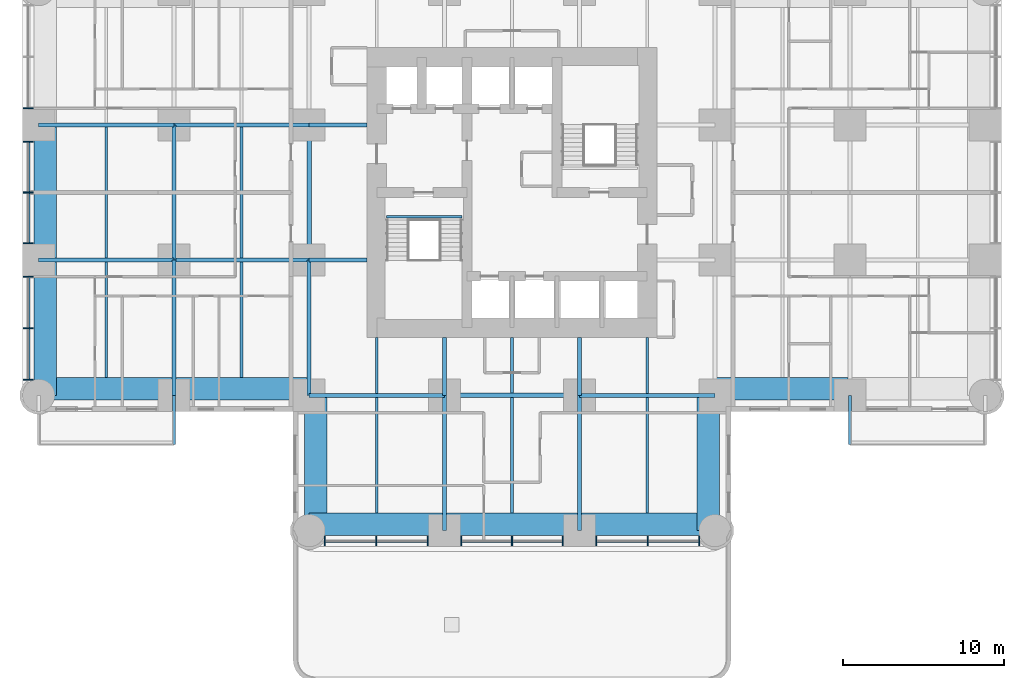
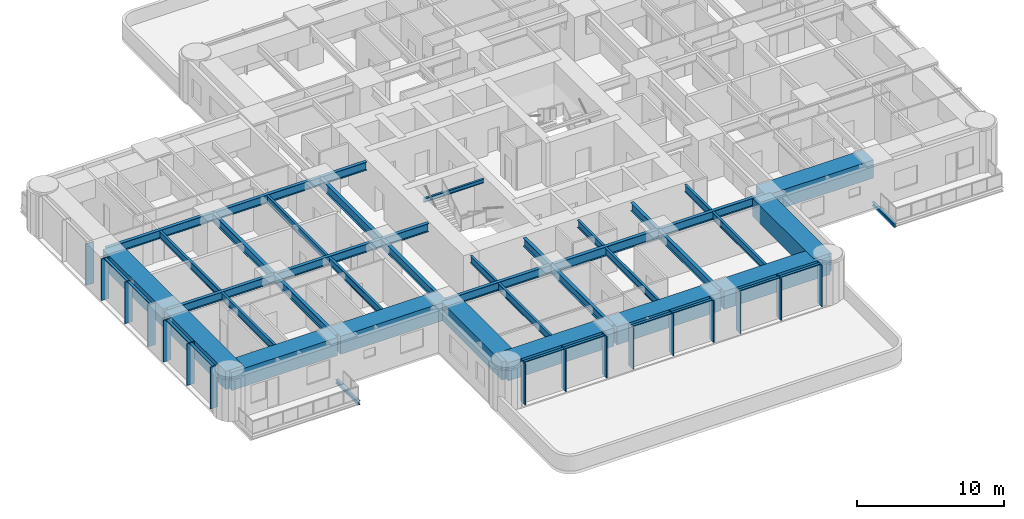
# One storey, part 2 of 14: 40 beams, 26 members, 2 elements without a shape of their own.
"""IFC4 building model written with IfcOpenShell, lengths in metres."""

from ifc_helpers import new_model, si_unit, direction, frame, origin, origin_2d, place, context, subcontext, project, spatial, rectangle, i_section, extrude, material, material_profile, profile_set, type_object, element, aggregate, save


model = new_model("IFC4")

# Units and contexts
model_context = context("Model", 3, precision=1e-05, world=origin(), true_north=direction((0.0, 1.0)))
body_context = subcontext(model_context, "Body", "Model", "MODEL_VIEW")
ifc_project = project(units=[si_unit("LENGTHUNIT", "METRE"), si_unit("AREAUNIT", "SQUARE_METRE"), si_unit("VOLUMEUNIT", "CUBIC_METRE"), si_unit("PLANEANGLEUNIT", "RADIAN"), si_unit("MASSUNIT", "GRAM", prefix="KILO")], contexts=[model_context])

# Site, building, storey
site_placement = place(None, origin())
site = spatial("IfcSite", under=ifc_project, at=site_placement, CompositionType="ELEMENT")
building_placement = place(site_placement, origin())
building = spatial("IfcBuilding", under=site, at=building_placement, Name="Torre Alcanfor", CompositionType="ELEMENT")
storey_placement = place(building_placement, frame((0.0, 0.0, 108.89990234375)))
storey = spatial("IfcBuildingStorey", under=building, at=storey_placement, Name="L27", CompositionType="ELEMENT", Elevation=108.89990234375)

# Beams
ifc_material_1 = material(Name="Steel ASTM A992 Grade 50", Category="steel")
ifc_material_profile_1 = material_profile(ifc_material_1, i_section(OverallWidth=0.205322265625, OverallDepth=0.309814453125, WebThickness=0.00927734375, FlangeThickness=0.016357421875, at=origin_2d()), Name="W12x50")
ifc_profile_set_1 = profile_set([ifc_material_profile_1], Name="Steel ASTM A992 Grade 50")
beam_type_1 = type_object("IfcBeamType", Name="Balcony cantilever beam W12x50", PredefinedType="BEAM", material=ifc_profile_set_1)
for number, where, z_axis, x_axis, name in (
    (1, (50.39990234375, 16.800048828125, -0.354736328125), (0.0, -1.0, 0.0), (1.0, 0.0, 0.0), "Balcony cantilever beam L27-E2 1"),
    (2, (8.39990234375, 16.800048828125, -0.354736328125), (0.0, -1.0, 0.0), (1.0, 0.0, 0.0), "Balcony cantilever beam L27-W1 1"),
):
    element("IfcBeam", number, at=place(storey_placement, frame(where, z_axis=z_axis, x_axis=x_axis)), inside=storey, type_object=beam_type_1, Name=name, PredefinedType="BEAM", context=body_context, shape_type="SweptSolid", body=[
        extrude(i_section(OverallWidth=0.205322265625, OverallDepth=0.309814453125, WebThickness=0.00927734375, FlangeThickness=0.016357421875, at=origin_2d()), origin(), (0.0, 0.0, 1.0), 3.050048828125),
    ])

# Curtain wall, members
ifc_material_2 = material(Name="Aluminium and glass", Category="aluminium")
curtain_wall_type = type_object("IfcCurtainWallType", Name="CW-A unitised apartment glazing with vertical FIN", PredefinedType="NOTDEFINED", material=ifc_material_2)
curtain_wall_1_placement = place(storey_placement, origin())
curtain_wall_1 = element("IfcCurtainWall", 3, at=curtain_wall_1_placement, inside=storey, type_object=curtain_wall_type, Name="Curtain wall CW-A L27 2", PredefinedType="NOTDEFINED")
ifc_material_3 = material(Name="Bronze anodised aluminium", Category="aluminium")
ifc_material_profile_2 = material_profile(ifc_material_3, rectangle(XDim=0.60009765625, YDim=0.06494140625, at=origin_2d()), Name="CW-A mullion 65x600")
ifc_profile_set_2 = profile_set([ifc_material_profile_2], Name="Bronze anodised aluminium")
member_type_1 = type_object("IfcMemberType", Name="CW-A mullion with vertical FIN 65x600", PredefinedType="MULLION", material=ifc_profile_set_2)
member_1_placement = place(storey_placement, frame((-0.64990234375, 34.637451171875, 0.0), z_axis=(0.0, 0.0, 1.0), x_axis=(1.0, 0.0, 0.0)))
member_1 = element("IfcMember", 4, at=member_1_placement, type_object=member_type_1, Name="CW-A mullion 1.3", PredefinedType="MULLION", context=body_context, shape_type="SweptSolid", body=[
    extrude(rectangle(XDim=0.60009765625, YDim=0.06494140625, at=origin_2d()), origin(), (0.0, 0.0, 1.0), 3.4501953125),
])
member_2_placement = place(storey_placement, frame((-0.64990234375, 32.5625, 0.0), z_axis=(0.0, 0.0, 1.0), x_axis=(1.0, 0.0, 0.0)))
member_2 = element("IfcMember", 5, at=member_2_placement, type_object=member_type_1, Name="CW-A mullion 2.1", PredefinedType="MULLION", context=body_context, shape_type="SweptSolid", body=[
    extrude(rectangle(XDim=0.60009765625, YDim=0.06494140625, at=origin_2d()), origin(), (0.0, 0.0, 1.0), 3.4501953125),
])
member_3_placement = place(storey_placement, frame((-0.64990234375, 29.39990234375, 0.0), z_axis=(0.0, 0.0, 1.0), x_axis=(1.0, 0.0, 0.0)))
member_3 = element("IfcMember", 6, at=member_3_placement, type_object=member_type_1, Name="CW-A mullion 2.2", PredefinedType="MULLION", context=body_context, shape_type="SweptSolid", body=[
    extrude(rectangle(XDim=0.60009765625, YDim=0.06494140625, at=origin_2d()), origin(), (0.0, 0.0, 1.0), 3.4501953125),
])
member_4_placement = place(storey_placement, frame((-0.64990234375, 26.237548828125, 0.0), z_axis=(0.0, 0.0, 1.0), x_axis=(1.0, 0.0, 0.0)))
member_4 = element("IfcMember", 7, at=member_4_placement, type_object=member_type_1, Name="CW-A mullion 2.3", PredefinedType="MULLION", context=body_context, shape_type="SweptSolid", body=[
    extrude(rectangle(XDim=0.60009765625, YDim=0.06494140625, at=origin_2d()), origin(), (0.0, 0.0, 1.0), 3.4501953125),
])
member_5_placement = place(storey_placement, frame((-0.64990234375, 24.16259765625, 0.0), z_axis=(0.0, 0.0, 1.0), x_axis=(1.0, 0.0, 0.0)))
member_5 = element("IfcMember", 8, at=member_5_placement, type_object=member_type_1, Name="CW-A mullion 3.1", PredefinedType="MULLION", context=body_context, shape_type="SweptSolid", body=[
    extrude(rectangle(XDim=0.60009765625, YDim=0.06494140625, at=origin_2d()), origin(), (0.0, 0.0, 1.0), 3.4501953125),
])
member_6_placement = place(storey_placement, frame((-0.64990234375, 20.968505859375, 0.0), z_axis=(0.0, 0.0, 1.0), x_axis=(1.0, 0.0, 0.0)))
member_6 = element("IfcMember", 9, at=member_6_placement, type_object=member_type_1, Name="CW-A mullion 3.2", PredefinedType="MULLION", context=body_context, shape_type="SweptSolid", body=[
    extrude(rectangle(XDim=0.60009765625, YDim=0.06494140625, at=origin_2d()), origin(), (0.0, 0.0, 1.0), 3.4501953125),
])
member_7_placement = place(storey_placement, frame((-0.64990234375, 17.7744140625, 0.0), z_axis=(0.0, 0.0, 1.0), x_axis=(1.0, 0.0, 0.0)))
member_7 = element("IfcMember", 10, at=member_7_placement, type_object=member_type_1, Name="CW-A mullion 3.3", PredefinedType="MULLION", context=body_context, shape_type="SweptSolid", body=[
    extrude(rectangle(XDim=0.60009765625, YDim=0.06494140625, at=origin_2d()), origin(), (0.0, 0.0, 1.0), 3.4501953125),
])

curtain_wall_2_placement = place(storey_placement, origin())
curtain_wall_2 = element("IfcCurtainWall", 11, at=curtain_wall_2_placement, inside=storey, type_object=curtain_wall_type, Name="Curtain wall CW-A L27 5", PredefinedType="NOTDEFINED")
member_8_placement = place(storey_placement, frame((17.7744140625, 7.75, 0.0), z_axis=(0.0, 0.0, 1.0), x_axis=(0.0, 1.0, 0.0)))
member_8 = element("IfcMember", 12, at=member_8_placement, type_object=member_type_1, Name="CW-A mullion 1.1", PredefinedType="MULLION", context=body_context, shape_type="SweptSolid", body=[
    extrude(rectangle(XDim=0.60009765625, YDim=0.06494140625, at=origin_2d()), origin(), (0.0, 0.0, 1.0), 3.4501953125),
])
member_9_placement = place(storey_placement, frame((20.968505859375, 7.75, 0.0), z_axis=(0.0, 0.0, 1.0), x_axis=(0.0, 1.0, 0.0)))
member_9 = element("IfcMember", 13, at=member_9_placement, type_object=member_type_1, Name="CW-A mullion 1.2", PredefinedType="MULLION", context=body_context, shape_type="SweptSolid", body=[
    extrude(rectangle(XDim=0.60009765625, YDim=0.06494140625, at=origin_2d()), origin(), (0.0, 0.0, 1.0), 3.4501953125),
])
member_10_placement = place(storey_placement, frame((24.16259765625, 7.75, 0.0), z_axis=(0.0, 0.0, 1.0), x_axis=(0.0, 1.0, 0.0)))
member_10 = element("IfcMember", 14, at=member_10_placement, type_object=member_type_1, Name="CW-A mullion 1.3", PredefinedType="MULLION", context=body_context, shape_type="SweptSolid", body=[
    extrude(rectangle(XDim=0.60009765625, YDim=0.06494140625, at=origin_2d()), origin(), (0.0, 0.0, 1.0), 3.4501953125),
])
member_11_placement = place(storey_placement, frame((26.237548828125, 7.75, 0.0), z_axis=(0.0, 0.0, 1.0), x_axis=(0.0, 1.0, 0.0)))
member_11 = element("IfcMember", 15, at=member_11_placement, type_object=member_type_1, Name="CW-A mullion 2.1", PredefinedType="MULLION", context=body_context, shape_type="SweptSolid", body=[
    extrude(rectangle(XDim=0.60009765625, YDim=0.06494140625, at=origin_2d()), origin(), (0.0, 0.0, 1.0), 3.4501953125),
])
member_12_placement = place(storey_placement, frame((29.39990234375, 7.75, 0.0), z_axis=(0.0, 0.0, 1.0), x_axis=(0.0, 1.0, 0.0)))
member_12 = element("IfcMember", 16, at=member_12_placement, type_object=member_type_1, Name="CW-A mullion 2.2", PredefinedType="MULLION", context=body_context, shape_type="SweptSolid", body=[
    extrude(rectangle(XDim=0.60009765625, YDim=0.06494140625, at=origin_2d()), origin(), (0.0, 0.0, 1.0), 3.4501953125),
])
member_13_placement = place(storey_placement, frame((32.5625, 7.75, 0.0), z_axis=(0.0, 0.0, 1.0), x_axis=(0.0, 1.0, 0.0)))
member_13 = element("IfcMember", 17, at=member_13_placement, type_object=member_type_1, Name="CW-A mullion 2.3", PredefinedType="MULLION", context=body_context, shape_type="SweptSolid", body=[
    extrude(rectangle(XDim=0.60009765625, YDim=0.06494140625, at=origin_2d()), origin(), (0.0, 0.0, 1.0), 3.4501953125),
])
member_14_placement = place(storey_placement, frame((34.637451171875, 7.75, 0.0), z_axis=(0.0, 0.0, 1.0), x_axis=(0.0, 1.0, 0.0)))
member_14 = element("IfcMember", 18, at=member_14_placement, type_object=member_type_1, Name="CW-A mullion 3.1", PredefinedType="MULLION", context=body_context, shape_type="SweptSolid", body=[
    extrude(rectangle(XDim=0.60009765625, YDim=0.06494140625, at=origin_2d()), origin(), (0.0, 0.0, 1.0), 3.4501953125),
])
member_15_placement = place(storey_placement, frame((37.83154296875, 7.75, 0.0), z_axis=(0.0, 0.0, 1.0), x_axis=(0.0, 1.0, 0.0)))
member_15 = element("IfcMember", 19, at=member_15_placement, type_object=member_type_1, Name="CW-A mullion 3.2", PredefinedType="MULLION", context=body_context, shape_type="SweptSolid", body=[
    extrude(rectangle(XDim=0.60009765625, YDim=0.06494140625, at=origin_2d()), origin(), (0.0, 0.0, 1.0), 3.4501953125),
])
member_16_placement = place(storey_placement, frame((41.025390625, 7.75, 0.0), z_axis=(0.0, 0.0, 1.0), x_axis=(0.0, 1.0, 0.0)))
member_16 = element("IfcMember", 20, at=member_16_placement, type_object=member_type_1, Name="CW-A mullion 3.3", PredefinedType="MULLION", context=body_context, shape_type="SweptSolid", body=[
    extrude(rectangle(XDim=0.60009765625, YDim=0.06494140625, at=origin_2d()), origin(), (0.0, 0.0, 1.0), 3.4501953125),
])

# Member
ifc_material_4 = material(Name="Extruded aluminium", Category="aluminium")
ifc_material_profile_3 = material_profile(ifc_material_4, rectangle(XDim=0.199951171875, YDim=0.06494140625, at=origin_2d()), Name="CW-A transom 200x65")
ifc_profile_set_3 = profile_set([ifc_material_profile_3], Name="Extruded aluminium")
member_type_2 = type_object("IfcMemberType", Name="CW-A transom 65x200", PredefinedType="USERDEFINED", material=ifc_profile_set_3)
member_17_placement = place(storey_placement, frame((-0.64990234375, 32.530029296875, 3.41748046875), z_axis=(0.0, -1.0, 0.0), x_axis=(1.0, 0.0, 0.0)))
member_17 = element("IfcMember", 21, at=member_17_placement, type_object=member_type_2, Name="CW-A transom 2.1.2", ObjectType="TRANSOM", PredefinedType="USERDEFINED", context=body_context, shape_type="SweptSolid", body=[
    extrude(rectangle(XDim=0.199951171875, YDim=0.06494140625, at=origin_2d()), origin(), (0.0, 0.0, 1.0), 3.097412109375),
])

member_18_placement = place(storey_placement, frame((-0.64990234375, 29.367431640625, 3.41748046875), z_axis=(0.0, -1.0, 0.0), x_axis=(1.0, 0.0, 0.0)))
member_18 = element("IfcMember", 22, at=member_18_placement, type_object=member_type_2, Name="CW-A transom 2.2.2", ObjectType="TRANSOM", PredefinedType="USERDEFINED", context=body_context, shape_type="SweptSolid", body=[
    extrude(rectangle(XDim=0.199951171875, YDim=0.06494140625, at=origin_2d()), origin(), (0.0, 0.0, 1.0), 3.097412109375),
])

member_19_placement = place(storey_placement, frame((-0.64990234375, 24.1298828125, 3.41748046875), z_axis=(0.0, -1.0, 0.0), x_axis=(1.0, 0.0, 0.0)))
member_19 = element("IfcMember", 23, at=member_19_placement, type_object=member_type_2, Name="CW-A transom 3.1.2", ObjectType="TRANSOM", PredefinedType="USERDEFINED", context=body_context, shape_type="SweptSolid", body=[
    extrude(rectangle(XDim=0.199951171875, YDim=0.06494140625, at=origin_2d()), origin(), (0.0, 0.0, 1.0), 3.12890625),
])

member_20_placement = place(storey_placement, frame((-0.64990234375, 20.93603515625, 3.41748046875), z_axis=(0.0, -1.0, 0.0), x_axis=(1.0, 0.0, 0.0)))
member_20 = element("IfcMember", 24, at=member_20_placement, type_object=member_type_2, Name="CW-A transom 3.2.2", ObjectType="TRANSOM", PredefinedType="USERDEFINED", context=body_context, shape_type="SweptSolid", body=[
    extrude(rectangle(XDim=0.199951171875, YDim=0.06494140625, at=origin_2d()), origin(), (0.0, 0.0, 1.0), 3.129150390625),
])

aggregate(curtain_wall_1, [member_1, member_2, member_3, member_4, member_17, member_18, member_5, member_6, member_7, member_19, member_20])

member_21_placement = place(storey_placement, frame((17.806884765625, 7.75, 3.41748046875), z_axis=(1.0, 0.0, 0.0), x_axis=(0.0, 1.0, 0.0)))
member_21 = element("IfcMember", 25, at=member_21_placement, type_object=member_type_2, Name="CW-A transom 1.1.2", ObjectType="TRANSOM", PredefinedType="USERDEFINED", context=body_context, shape_type="SweptSolid", body=[
    extrude(rectangle(XDim=0.199951171875, YDim=0.06494140625, at=origin_2d()), origin(), (0.0, 0.0, 1.0), 3.129150390625),
])

member_22_placement = place(storey_placement, frame((21.0009765625, 7.75, 3.41748046875), z_axis=(1.0, 0.0, 0.0), x_axis=(0.0, 1.0, 0.0)))
member_22 = element("IfcMember", 26, at=member_22_placement, type_object=member_type_2, Name="CW-A transom 1.2.2", ObjectType="TRANSOM", PredefinedType="USERDEFINED", context=body_context, shape_type="SweptSolid", body=[
    extrude(rectangle(XDim=0.199951171875, YDim=0.06494140625, at=origin_2d()), origin(), (0.0, 0.0, 1.0), 3.12890625),
])

member_23_placement = place(storey_placement, frame((26.27001953125, 7.75, 3.41748046875), z_axis=(1.0, 0.0, 0.0), x_axis=(0.0, 1.0, 0.0)))
member_23 = element("IfcMember", 27, at=member_23_placement, type_object=member_type_2, Name="CW-A transom 2.1.2", ObjectType="TRANSOM", PredefinedType="USERDEFINED", context=body_context, shape_type="SweptSolid", body=[
    extrude(rectangle(XDim=0.199951171875, YDim=0.06494140625, at=origin_2d()), origin(), (0.0, 0.0, 1.0), 3.097412109375),
])

member_24_placement = place(storey_placement, frame((29.4326171875, 7.75, 3.41748046875), z_axis=(1.0, 0.0, 0.0), x_axis=(0.0, 1.0, 0.0)))
member_24 = element("IfcMember", 28, at=member_24_placement, type_object=member_type_2, Name="CW-A transom 2.2.2", ObjectType="TRANSOM", PredefinedType="USERDEFINED", context=body_context, shape_type="SweptSolid", body=[
    extrude(rectangle(XDim=0.199951171875, YDim=0.06494140625, at=origin_2d()), origin(), (0.0, 0.0, 1.0), 3.097412109375),
])

member_25_placement = place(storey_placement, frame((34.669921875, 7.75, 3.41748046875), z_axis=(1.0, 0.0, 0.0), x_axis=(0.0, 1.0, 0.0)))
member_25 = element("IfcMember", 29, at=member_25_placement, type_object=member_type_2, Name="CW-A transom 3.1.2", ObjectType="TRANSOM", PredefinedType="USERDEFINED", context=body_context, shape_type="SweptSolid", body=[
    extrude(rectangle(XDim=0.199951171875, YDim=0.06494140625, at=origin_2d()), origin(), (0.0, 0.0, 1.0), 3.129150390625),
])

member_26_placement = place(storey_placement, frame((37.864013671875, 7.75, 3.41748046875), z_axis=(1.0, 0.0, 0.0), x_axis=(0.0, 1.0, 0.0)))
member_26 = element("IfcMember", 30, at=member_26_placement, type_object=member_type_2, Name="CW-A transom 3.2.2", ObjectType="TRANSOM", PredefinedType="USERDEFINED", context=body_context, shape_type="SweptSolid", body=[
    extrude(rectangle(XDim=0.199951171875, YDim=0.06494140625, at=origin_2d()), origin(), (0.0, 0.0, 1.0), 3.12890625),
])

aggregate(curtain_wall_2, [member_8, member_9, member_10, member_21, member_22, member_11, member_12, member_13, member_23, member_24, member_14, member_15, member_16, member_25, member_26])

# Beams
ifc_material_5 = material(Name="Steel ASTM A992 Grade 50", Category="steel")
ifc_material_profile_4 = material_profile(ifc_material_5, i_section(OverallWidth=0.25390625, OverallDepth=0.683349609375, WebThickness=0.012451171875, FlangeThickness=0.01904296875, at=origin_2d()), Name="W27x94")
ifc_profile_set_4 = profile_set([ifc_material_profile_4], Name="Steel ASTM A992 Grade 50")
beam_type_2 = type_object("IfcBeamType", Name="Girder W27x94", PredefinedType="BEAM", material=ifc_profile_set_4)
for number, where, z_axis, x_axis, name in (
    (31, (16.800048828125, 16.800048828125, 3.1083984375), (1.0, 0.0, 0.0), (0.0, 1.0, 0.0), "Beam 3E-4E under L28"),
    (32, (33.60009765625, 16.800048828125, 3.1083984375), (1.0, 0.0, 0.0), (0.0, 1.0, 0.0), "Beam 5E-6E under L28"),
    (33, (0.0, 25.199951171875, 3.1083984375), (1.0, 0.0, 0.0), (0.0, 1.0, 0.0), "Beam 1F-2F under L28"),
):
    element("IfcBeam", number, at=place(storey_placement, frame(where, z_axis=z_axis, x_axis=x_axis)), inside=storey, type_object=beam_type_2, Name=name, PredefinedType="BEAM", context=body_context, shape_type="SweptSolid", body=[
        extrude(i_section(OverallWidth=0.25390625, OverallDepth=0.683349609375, WebThickness=0.012451171875, FlangeThickness=0.01904296875, at=origin_2d()), origin(), (0.0, 0.0, 1.0), 8.39990234375),
    ])
beam_1_placement = place(storey_placement, frame((8.39990234375, 25.199951171875, 3.1083984375), z_axis=(1.0, 0.0, 0.0), x_axis=(0.0, 1.0, 0.0)))
element("IfcBeam", 34, at=beam_1_placement, inside=storey, type_object=beam_type_2, Name="Beam 2F-3F under L28", PredefinedType="BEAM", context=body_context, shape_type="SweptSolid", body=[
    extrude(i_section(OverallWidth=0.25390625, OverallDepth=0.683349609375, WebThickness=0.012451171875, FlangeThickness=0.01904296875, at=origin_2d()), origin(), (0.0, 0.0, 1.0), 8.400146484375),
])
beam_2_placement = place(storey_placement, frame((0.0, 33.60009765625, 3.1083984375), z_axis=(1.0, 0.0, 0.0), x_axis=(0.0, 1.0, 0.0)))
element("IfcBeam", 35, at=beam_2_placement, inside=storey, type_object=beam_type_2, Name="Beam 1G-2G under L28", PredefinedType="BEAM", context=body_context, shape_type="SweptSolid", body=[
    extrude(i_section(OverallWidth=0.25390625, OverallDepth=0.683349609375, WebThickness=0.012451171875, FlangeThickness=0.01904296875, at=origin_2d()), origin(), (0.0, 0.0, 1.0), 8.39990234375),
])
beam_3_placement = place(storey_placement, frame((8.39990234375, 33.60009765625, 3.1083984375), z_axis=(1.0, 0.0, 0.0), x_axis=(0.0, 1.0, 0.0)))
element("IfcBeam", 36, at=beam_3_placement, inside=storey, type_object=beam_type_2, Name="Beam 2G-3G under L28", PredefinedType="BEAM", context=body_context, shape_type="SweptSolid", body=[
    extrude(i_section(OverallWidth=0.25390625, OverallDepth=0.683349609375, WebThickness=0.012451171875, FlangeThickness=0.01904296875, at=origin_2d()), origin(), (0.0, 0.0, 1.0), 8.400146484375),
])
beam_4_placement = place(storey_placement, frame((8.39990234375, 16.800048828125, 3.1083984375), z_axis=(0.0, 1.0, 0.0), x_axis=(-1.0, 0.0, 0.0)))
element("IfcBeam", 37, at=beam_4_placement, inside=storey, type_object=beam_type_2, Name="Beam 2E-2F under L28", PredefinedType="BEAM", context=body_context, shape_type="SweptSolid", body=[
    extrude(i_section(OverallWidth=0.25390625, OverallDepth=0.683349609375, WebThickness=0.012451171875, FlangeThickness=0.01904296875, at=origin_2d()), origin(), (0.0, 0.0, 1.0), 8.39990234375),
])
beam_5_placement = place(storey_placement, frame((8.39990234375, 25.199951171875, 3.1083984375), z_axis=(0.0, 1.0, 0.0), x_axis=(-1.0, 0.0, 0.0)))
element("IfcBeam", 38, at=beam_5_placement, inside=storey, type_object=beam_type_2, Name="Beam 2F-2G under L28", PredefinedType="BEAM", context=body_context, shape_type="SweptSolid", body=[
    extrude(i_section(OverallWidth=0.25390625, OverallDepth=0.683349609375, WebThickness=0.012451171875, FlangeThickness=0.01904296875, at=origin_2d()), origin(), (0.0, 0.0, 1.0), 8.400146484375),
])
beam_6_placement = place(storey_placement, frame((16.800048828125, 16.800048828125, 3.1083984375), z_axis=(0.0, 1.0, 0.0), x_axis=(-1.0, 0.0, 0.0)))
element("IfcBeam", 39, at=beam_6_placement, inside=storey, type_object=beam_type_2, Name="Beam 3E-3F under L28", PredefinedType="BEAM", context=body_context, shape_type="SweptSolid", body=[
    extrude(i_section(OverallWidth=0.25390625, OverallDepth=0.683349609375, WebThickness=0.012451171875, FlangeThickness=0.01904296875, at=origin_2d()), origin(), (0.0, 0.0, 1.0), 8.39990234375),
])
for number, where, z_axis, x_axis, name in (
    (40, (25.199951171875, 8.39990234375, 3.1083984375), (0.0, 1.0, 0.0), (-1.0, 0.0, 0.0), "Beam 4D-4E under L28"),
    (41, (33.60009765625, 8.39990234375, 3.1083984375), (0.0, 1.0, 0.0), (-1.0, 0.0, 0.0), "Beam 5D-5E under L28"),
):
    element("IfcBeam", number, at=place(storey_placement, frame(where, z_axis=z_axis, x_axis=x_axis)), inside=storey, type_object=beam_type_2, Name=name, PredefinedType="BEAM", context=body_context, shape_type="SweptSolid", body=[
        extrude(i_section(OverallWidth=0.25390625, OverallDepth=0.683349609375, WebThickness=0.012451171875, FlangeThickness=0.01904296875, at=origin_2d()), origin(), (0.0, 0.0, 1.0), 8.400146484375),
    ])
ifc_material_6 = material(Name="Steel ASTM A992 Grade 50", Category="steel")
ifc_material_profile_5 = material_profile(ifc_material_6, i_section(OverallWidth=0.2666015625, OverallDepth=0.7568359375, WebThickness=0.013916015625, FlangeThickness=0.019287109375, at=origin_2d()), Name="W30x108")
ifc_profile_set_5 = profile_set([ifc_material_profile_5], Name="Steel ASTM A992 Grade 50")
beam_type_3 = type_object("IfcBeamType", Name="Girder W30x108", PredefinedType="BEAM", material=ifc_profile_set_5)
for number, where, z_axis, x_axis, name in (
    (42, (25.199951171875, 16.800048828125, 3.071533203125), (1.0, 0.0, 0.0), (0.0, 1.0, 0.0), "Beam 4E-5E under L28"),
    (43, (16.800048828125, 25.199951171875, 3.071533203125), (0.0, 1.0, 0.0), (-1.0, 0.0, 0.0), "Beam 3F-3G under L28"),
):
    element("IfcBeam", number, at=place(storey_placement, frame(where, z_axis=z_axis, x_axis=x_axis)), inside=storey, type_object=beam_type_3, Name=name, PredefinedType="BEAM", context=body_context, shape_type="SweptSolid", body=[
        extrude(i_section(OverallWidth=0.2666015625, OverallDepth=0.7568359375, WebThickness=0.013916015625, FlangeThickness=0.019287109375, at=origin_2d()), origin(), (0.0, 0.0, 1.0), 8.400146484375),
    ])
ifc_material_7 = material(Name="Steel ASTM A992 Grade 50", Category="steel")
ifc_material_profile_6 = material_profile(ifc_material_7, i_section(OverallWidth=0.25390625, OverallDepth=0.683349609375, WebThickness=0.012451171875, FlangeThickness=0.01904296875, at=origin_2d()), Name="W27x94")
ifc_profile_set_6 = profile_set([ifc_material_profile_6], Name="Steel ASTM A992 Grade 50")
beam_type_4 = type_object("IfcBeamType", Name="Girder, part bay W27x94", PredefinedType="BEAM", material=ifc_profile_set_6)
for number, where, z_axis, x_axis, name in (
    (44, (25.199951171875, 16.800048828125, 3.1083984375), (0.0, 1.0, 0.0), (-1.0, 0.0, 0.0), "Beam 4E-420_4 under L28"),
    (45, (33.60009765625, 16.800048828125, 3.1083984375), (0.0, 1.0, 0.0), (-1.0, 0.0, 0.0), "Beam 5E-520_4 under L28"),
    (46, (16.800048828125, 25.199951171875, 3.1083984375), (1.0, 0.0, 0.0), (0.0, 1.0, 0.0), "Beam 3F-20_4F under L28"),
    (47, (16.800048828125, 33.60009765625, 3.1083984375), (1.0, 0.0, 0.0), (0.0, 1.0, 0.0), "Beam 3G-20_4G under L28"),
):
    element("IfcBeam", number, at=place(storey_placement, frame(where, z_axis=z_axis, x_axis=x_axis)), inside=storey, type_object=beam_type_4, Name=name, PredefinedType="BEAM", context=body_context, shape_type="SweptSolid", body=[
        extrude(i_section(OverallWidth=0.25390625, OverallDepth=0.683349609375, WebThickness=0.012451171875, FlangeThickness=0.01904296875, at=origin_2d()), origin(), (0.0, 0.0, 1.0), 3.599853515625),
    ])
ifc_material_8 = material(Name="Concrete f'c 70 MPa", Category="concrete")
ifc_material_profile_7 = material_profile(ifc_material_8, rectangle(XDim=1.39990234375, YDim=1.5, at=origin_2d()), Name="1400x1500")
ifc_profile_set_7 = profile_set([ifc_material_profile_7], Name="Concrete f'c 70 MPa")
beam_type_5 = type_object("IfcBeamType", Name="RC perimeter beam 1400x1500", PredefinedType="BEAM", material=ifc_profile_set_7)
beam_7_placement = place(storey_placement, frame((16.800048828125, 8.800048828125, 2.7001953125), z_axis=(1.0, 0.0, 0.0), x_axis=(0.0, 1.0, 0.0)))
element("IfcBeam", 48, at=beam_7_placement, inside=storey, type_object=beam_type_5, Name="Beam 3D-4D under L28", PredefinedType="BEAM", context=body_context, shape_type="SweptSolid", body=[
    extrude(rectangle(XDim=1.39990234375, YDim=1.5, at=origin_2d()), origin(), (0.0, 0.0, 1.0), 8.27294921875),
])
beam_8_placement = place(storey_placement, frame((25.326904296875, 8.800048828125, 2.7001953125), z_axis=(1.0, 0.0, 0.0), x_axis=(0.0, 1.0, 0.0)))
element("IfcBeam", 49, at=beam_8_placement, inside=storey, type_object=beam_type_5, Name="Beam 4D-5D under L28", PredefinedType="BEAM", context=body_context, shape_type="SweptSolid", body=[
    extrude(rectangle(XDim=1.39990234375, YDim=1.5, at=origin_2d()), origin(), (0.0, 0.0, 1.0), 8.14599609375),
])
for number, where, z_axis, x_axis, name in (
    (50, (33.72705078125, 8.800048828125, 2.7001953125), (1.0, 0.0, 0.0), (0.0, 1.0, 0.0), "Beam 5D-6D under L28"),
    (51, (0.0, 17.199951171875, 2.7001953125), (1.0, 0.0, 0.0), (0.0, 1.0, 0.0), "Beam 1E-2E under L28"),
):
    element("IfcBeam", number, at=place(storey_placement, frame(where, z_axis=z_axis, x_axis=x_axis)), inside=storey, type_object=beam_type_5, Name=name, PredefinedType="BEAM", context=body_context, shape_type="SweptSolid", body=[
        extrude(rectangle(XDim=1.39990234375, YDim=1.5, at=origin_2d()), origin(), (0.0, 0.0, 1.0), 8.27294921875),
    ])
for number, where, z_axis, x_axis, name in (
    (52, (8.527099609375, 17.199951171875, 2.7001953125), (1.0, 0.0, 0.0), (0.0, 1.0, 0.0), "Beam 2E-3E under L28"),
    (53, (41.873046875, 17.199951171875, 2.7001953125), (1.0, 0.0, 0.0), (0.0, 1.0, 0.0), "Beam 6E-7E under L28"),
):
    element("IfcBeam", number, at=place(storey_placement, frame(where, z_axis=z_axis, x_axis=x_axis)), inside=storey, type_object=beam_type_5, Name=name, PredefinedType="BEAM", context=body_context, shape_type="SweptSolid", body=[
        extrude(rectangle(XDim=1.39990234375, YDim=1.5, at=origin_2d()), origin(), (0.0, 0.0, 1.0), 8.39990234375),
    ])
beam_9_placement = place(storey_placement, frame((0.39990234375, 16.800048828125, 2.7001953125), z_axis=(0.0, 1.0, 0.0), x_axis=(-1.0, 0.0, 0.0)))
element("IfcBeam", 54, at=beam_9_placement, inside=storey, type_object=beam_type_5, Name="Beam 1E-1F under L28", PredefinedType="BEAM", context=body_context, shape_type="SweptSolid", body=[
    extrude(rectangle(XDim=1.39990234375, YDim=1.5, at=origin_2d()), origin(), (0.0, 0.0, 1.0), 8.27294921875),
])
beam_10_placement = place(storey_placement, frame((0.39990234375, 25.326904296875, 2.7001953125), z_axis=(0.0, 1.0, 0.0), x_axis=(-1.0, 0.0, 0.0)))
element("IfcBeam", 55, at=beam_10_placement, inside=storey, type_object=beam_type_5, Name="Beam 1F-1G under L28", PredefinedType="BEAM", context=body_context, shape_type="SweptSolid", body=[
    extrude(rectangle(XDim=1.39990234375, YDim=1.5, at=origin_2d()), origin(), (0.0, 0.0, 1.0), 8.14599609375),
])
for number, where, z_axis, x_axis, name in (
    (56, (17.199951171875, 8.39990234375, 2.7001953125), (0.0, 1.0, 0.0), (-1.0, 0.0, 0.0), "Beam 3D-3E under L28"),
    (57, (41.60009765625, 8.39990234375, 2.7001953125), (0.0, 1.0, 0.0), (-1.0, 0.0, 0.0), "Beam 6D-6E under L28"),
):
    element("IfcBeam", number, at=place(storey_placement, frame(where, z_axis=z_axis, x_axis=x_axis)), inside=storey, type_object=beam_type_5, Name=name, PredefinedType="BEAM", context=body_context, shape_type="SweptSolid", body=[
        extrude(rectangle(XDim=1.39990234375, YDim=1.5, at=origin_2d()), origin(), (0.0, 0.0, 1.0), 8.273193359375),
    ])
ifc_material_9 = material(Name="Steel ASTM A992 Grade 50", Category="steel")
ifc_material_profile_8 = material_profile(ifc_material_9, i_section(OverallWidth=0.1787109375, OverallDepth=0.60205078125, WebThickness=0.010986328125, FlangeThickness=0.014892578125, at=origin_2d()), Name="W24x62")
ifc_profile_set_8 = profile_set([ifc_material_profile_8], Name="Steel ASTM A992 Grade 50")
beam_type_6 = type_object("IfcBeamType", Name="Secondary beam W24x62", PredefinedType="BEAM", material=ifc_profile_set_8)
beam_11_placement = place(storey_placement, frame((4.199951171875, 17.89990234375, 3.149169921875), z_axis=(0.0, 1.0, 0.0), x_axis=(-1.0, 0.0, 0.0)))
element("IfcBeam", 58, at=beam_11_placement, inside=storey, type_object=beam_type_6, Name="Beam 4_2E-4_2F under L28", PredefinedType="BEAM", context=body_context, shape_type="SweptSolid", body=[
    extrude(i_section(OverallWidth=0.1787109375, OverallDepth=0.60205078125, WebThickness=0.010986328125, FlangeThickness=0.014892578125, at=origin_2d()), origin(), (0.0, 0.0, 1.0), 7.173095703125),
])
beam_12_placement = place(storey_placement, frame((4.199951171875, 25.326904296875, 3.149169921875), z_axis=(0.0, 1.0, 0.0), x_axis=(-1.0, 0.0, 0.0)))
element("IfcBeam", 59, at=beam_12_placement, inside=storey, type_object=beam_type_6, Name="Beam 4_2F-4_2G under L28", PredefinedType="BEAM", context=body_context, shape_type="SweptSolid", body=[
    extrude(i_section(OverallWidth=0.1787109375, OverallDepth=0.60205078125, WebThickness=0.010986328125, FlangeThickness=0.014892578125, at=origin_2d()), origin(), (0.0, 0.0, 1.0), 8.14599609375),
])
beam_13_placement = place(storey_placement, frame((12.60009765625, 17.89990234375, 3.149169921875), z_axis=(0.0, 1.0, 0.0), x_axis=(-1.0, 0.0, 0.0)))
element("IfcBeam", 60, at=beam_13_placement, inside=storey, type_object=beam_type_6, Name="Beam 12_6E-12_6F under L28", PredefinedType="BEAM", context=body_context, shape_type="SweptSolid", body=[
    extrude(i_section(OverallWidth=0.1787109375, OverallDepth=0.60205078125, WebThickness=0.010986328125, FlangeThickness=0.014892578125, at=origin_2d()), origin(), (0.0, 0.0, 1.0), 7.173095703125),
])
beam_14_placement = place(storey_placement, frame((12.60009765625, 25.326904296875, 3.149169921875), z_axis=(0.0, 1.0, 0.0), x_axis=(-1.0, 0.0, 0.0)))
element("IfcBeam", 61, at=beam_14_placement, inside=storey, type_object=beam_type_6, Name="Beam 12_6F-12_6G under L28", PredefinedType="BEAM", context=body_context, shape_type="SweptSolid", body=[
    extrude(i_section(OverallWidth=0.1787109375, OverallDepth=0.60205078125, WebThickness=0.010986328125, FlangeThickness=0.014892578125, at=origin_2d()), origin(), (0.0, 0.0, 1.0), 8.14599609375),
])
beam_15_placement = place(storey_placement, frame((21.0, 9.5, 3.149169921875), z_axis=(0.0, 1.0, 0.0), x_axis=(-1.0, 0.0, 0.0)))
element("IfcBeam", 62, at=beam_15_placement, inside=storey, type_object=beam_type_6, Name="Beam 21D-21E under L28", PredefinedType="BEAM", context=body_context, shape_type="SweptSolid", body=[
    extrude(i_section(OverallWidth=0.1787109375, OverallDepth=0.60205078125, WebThickness=0.010986328125, FlangeThickness=0.014892578125, at=origin_2d()), origin(), (0.0, 0.0, 1.0), 7.173095703125),
])
beam_16_placement = place(storey_placement, frame((29.39990234375, 9.5, 3.149169921875), z_axis=(0.0, 1.0, 0.0), x_axis=(-1.0, 0.0, 0.0)))
element("IfcBeam", 63, at=beam_16_placement, inside=storey, type_object=beam_type_6, Name="Beam 29_4D-29_4E under L28", PredefinedType="BEAM", context=body_context, shape_type="SweptSolid", body=[
    extrude(i_section(OverallWidth=0.1787109375, OverallDepth=0.60205078125, WebThickness=0.010986328125, FlangeThickness=0.014892578125, at=origin_2d()), origin(), (0.0, 0.0, 1.0), 7.1669921875),
])
beam_17_placement = place(storey_placement, frame((37.800048828125, 9.5, 3.149169921875), z_axis=(0.0, 1.0, 0.0), x_axis=(-1.0, 0.0, 0.0)))
element("IfcBeam", 64, at=beam_17_placement, inside=storey, type_object=beam_type_6, Name="Beam 37_8D-37_8E under L28", PredefinedType="BEAM", context=body_context, shape_type="SweptSolid", body=[
    extrude(i_section(OverallWidth=0.1787109375, OverallDepth=0.60205078125, WebThickness=0.010986328125, FlangeThickness=0.014892578125, at=origin_2d()), origin(), (0.0, 0.0, 1.0), 7.173095703125),
])
ifc_material_10 = material(Name="Steel ASTM A992 Grade 50", Category="steel")
ifc_material_profile_9 = material_profile(ifc_material_10, i_section(OverallWidth=0.1787109375, OverallDepth=0.60205078125, WebThickness=0.010986328125, FlangeThickness=0.014892578125, at=origin_2d()), Name="W24x62")
ifc_profile_set_9 = profile_set([ifc_material_profile_9], Name="Steel ASTM A992 Grade 50")
beam_type_7 = type_object("IfcBeamType", Name="Secondary beam, part bay W24x62", PredefinedType="BEAM", material=ifc_profile_set_9)
beam_18_placement = place(storey_placement, frame((21.0, 16.927001953125, 3.149169921875), z_axis=(0.0, 1.0, 0.0), x_axis=(-1.0, 0.0, 0.0)))
element("IfcBeam", 65, at=beam_18_placement, inside=storey, type_object=beam_type_7, Name="Beam 21E-2120_4 under L28", PredefinedType="BEAM", context=body_context, shape_type="SweptSolid", body=[
    extrude(i_section(OverallWidth=0.1787109375, OverallDepth=0.60205078125, WebThickness=0.010986328125, FlangeThickness=0.014892578125, at=origin_2d()), origin(), (0.0, 0.0, 1.0), 3.472900390625),
])
beam_19_placement = place(storey_placement, frame((29.39990234375, 16.93310546875, 3.149169921875), z_axis=(0.0, 1.0, 0.0), x_axis=(-1.0, 0.0, 0.0)))
element("IfcBeam", 66, at=beam_19_placement, inside=storey, type_object=beam_type_7, Name="Beam 29_4E-29_420_4 under L28", PredefinedType="BEAM", context=body_context, shape_type="SweptSolid", body=[
    extrude(i_section(OverallWidth=0.1787109375, OverallDepth=0.60205078125, WebThickness=0.010986328125, FlangeThickness=0.014892578125, at=origin_2d()), origin(), (0.0, 0.0, 1.0), 3.466796875),
])
beam_20_placement = place(storey_placement, frame((37.800048828125, 16.927001953125, 3.149169921875), z_axis=(0.0, 1.0, 0.0), x_axis=(-1.0, 0.0, 0.0)))
element("IfcBeam", 67, at=beam_20_placement, inside=storey, type_object=beam_type_7, Name="Beam 37_8E-37_820_4 under L28", PredefinedType="BEAM", context=body_context, shape_type="SweptSolid", body=[
    extrude(i_section(OverallWidth=0.1787109375, OverallDepth=0.60205078125, WebThickness=0.010986328125, FlangeThickness=0.014892578125, at=origin_2d()), origin(), (0.0, 0.0, 1.0), 3.472900390625),
])
ifc_material_11 = material(Name="Steel ASTM A992 Grade 50", Category="steel")
ifc_material_profile_10 = material_profile(ifc_material_11, i_section(OverallWidth=0.164794921875, OverallDepth=0.309814453125, WebThickness=0.005859375, FlangeThickness=0.009765625, at=origin_2d()), Name="W12x26")
ifc_profile_set_10 = profile_set([ifc_material_profile_10], Name="Steel ASTM A992 Grade 50")
beam_type_8 = type_object("IfcBeamType", Name="Stair landing beam W12x26", PredefinedType="BEAM", material=ifc_profile_set_10)
beam_21_placement = place(storey_placement, frame((21.60009765625, 27.887451171875, 3.2451171875), z_axis=(1.0, 0.0, 0.0), x_axis=(0.0, 1.0, 0.0)))
element("IfcBeam", 68, at=beam_21_placement, inside=storey, type_object=beam_type_8, Name="Landing trimmer S1 L28", PredefinedType="BEAM", context=body_context, shape_type="SweptSolid", body=[
    extrude(i_section(OverallWidth=0.164794921875, OverallDepth=0.309814453125, WebThickness=0.005859375, FlangeThickness=0.009765625, at=origin_2d()), origin(), (0.0, 0.0, 1.0), 4.699951171875),
])

save(model, "model.ifc")
